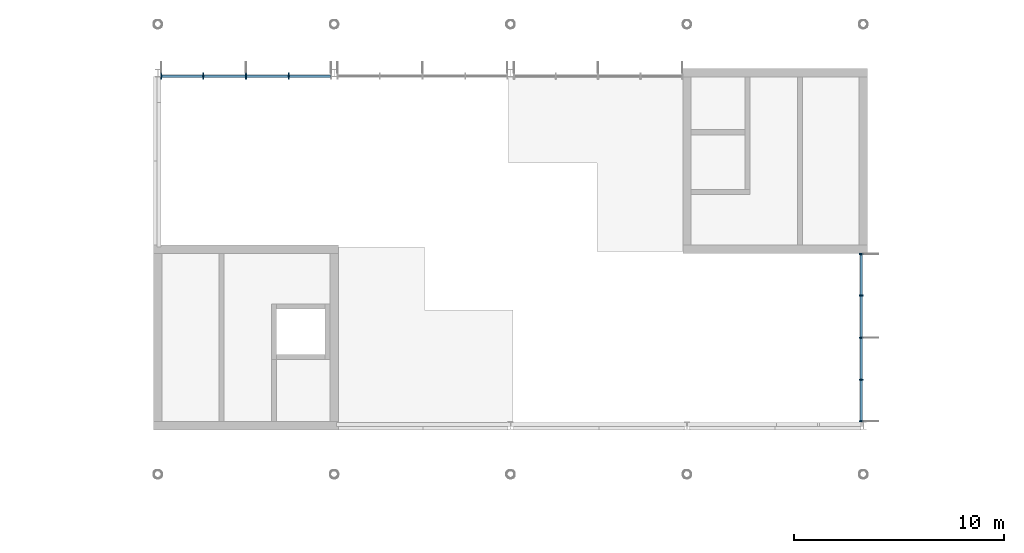
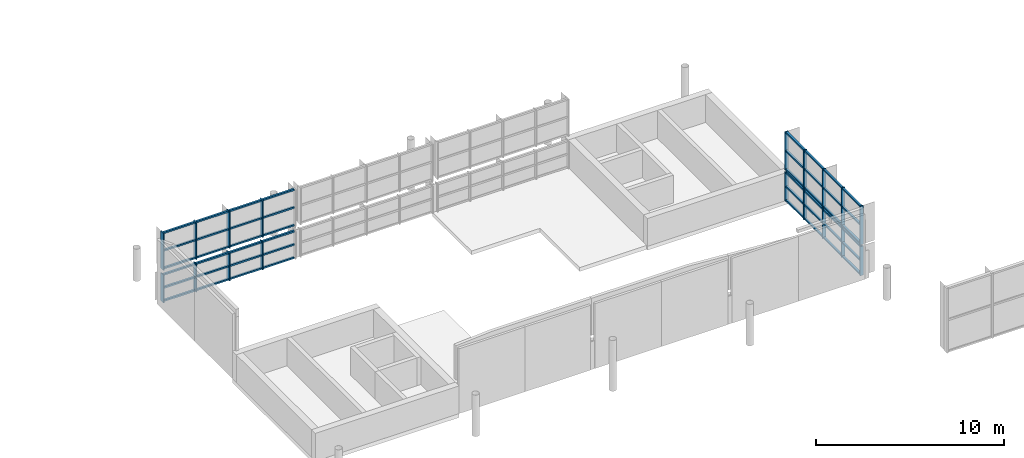
# One storey, part 25 of 72: 66 members, 4 elements without a shape of their own.
"""IFC4 building model written with IfcOpenShell, lengths in metres."""

from ifc_helpers import new_model, si_unit, direction, frame, origin, origin_2d, place, context, subcontext, project, spatial, rectangle, extrude, material, material_profile, profile_set, type_object, element, aggregate, save


model = new_model("IFC4")

# Units and contexts
model_context = context("Model", 3, precision=1e-05, world=origin(), true_north=direction((0.0, 1.0)))
body_context = subcontext(model_context, "Body", "Model", "MODEL_VIEW")
ifc_project = project(units=[si_unit("LENGTHUNIT", "METRE"), si_unit("AREAUNIT", "SQUARE_METRE"), si_unit("VOLUMEUNIT", "CUBIC_METRE"), si_unit("PLANEANGLEUNIT", "RADIAN"), si_unit("MASSUNIT", "GRAM", prefix="KILO")], contexts=[model_context])

# Site, building, storey
site_placement = place(None, origin())
site = spatial("IfcSite", under=ifc_project, at=site_placement, CompositionType="ELEMENT")
building_placement = place(site_placement, origin())
building = spatial("IfcBuilding", under=site, at=building_placement, Name="Hlaing Beacon Police Headquarters", CompositionType="ELEMENT")
storey_placement = place(building_placement, frame((0.0, 0.0, 14.39990234375)))
storey = spatial("IfcBuildingStorey", under=building, at=storey_placement, Name="L03", CompositionType="ELEMENT", Elevation=14.39990234375)

# Curtain wall, members
ifc_material_1 = material(Name="Aluminium frame with solar control glazing", Category="aluminium")
curtain_wall_type_1 = type_object("IfcCurtainWallType", Name="Unitised curtain wall 8.02 x 1.90", PredefinedType="NOTDEFINED", material=ifc_material_1)
curtain_wall_1_placement = place(storey_placement, origin())
curtain_wall_1 = element("IfcCurtainWall", 1, at=curtain_wall_1_placement, inside=storey, type_object=curtain_wall_type_1, Name="ENV-CW-L03-E011", PredefinedType="NOTDEFINED")
ifc_material_2 = material(Name="Aluminium", Category="aluminium")
ifc_material_profile_1 = material_profile(ifc_material_2, rectangle(XDim=0.199951171875, YDim=0.06005859375, at=origin_2d()), Name="Mullion 60x200")
ifc_profile_set_1 = profile_set([ifc_material_profile_1], Name="Aluminium")
member_type_1 = type_object("IfcMemberType", Name="Mullion 60x200", PredefinedType="MULLION", material=ifc_profile_set_1)
member_1_placement = place(storey_placement, frame((67.10009765625, 75.807861328125, 0.0), z_axis=(0.0, 0.0, 1.0), x_axis=(-1.0, 0.0, 0.0)))
member_1 = element("IfcMember", 2, at=member_1_placement, type_object=member_type_1, Name="CW-L03-E011 mullion 1", PredefinedType="MULLION", context=body_context, shape_type="SweptSolid", body=[
    extrude(rectangle(XDim=0.199951171875, YDim=0.06005859375, at=origin_2d()), origin(), (0.0, 0.0, 1.0), 1.897216796875),
])
member_2_placement = place(storey_placement, frame((67.10009765625, 77.783447265625, 0.0), z_axis=(0.0, 0.0, 1.0), x_axis=(-1.0, 0.0, 0.0)))
member_2 = element("IfcMember", 3, at=member_2_placement, type_object=member_type_1, Name="CW-L03-E011 mullion 2", PredefinedType="MULLION", context=body_context, shape_type="SweptSolid", body=[
    extrude(rectangle(XDim=0.199951171875, YDim=0.06005859375, at=origin_2d()), origin(), (0.0, 0.0, 1.0), 1.897216796875),
])
member_3_placement = place(storey_placement, frame((67.10009765625, 79.788818359375, 0.0), z_axis=(0.0, 0.0, 1.0), x_axis=(-1.0, 0.0, 0.0)))
member_3 = element("IfcMember", 4, at=member_3_placement, type_object=member_type_1, Name="CW-L03-E011 mullion 3", PredefinedType="MULLION", context=body_context, shape_type="SweptSolid", body=[
    extrude(rectangle(XDim=0.199951171875, YDim=0.06005859375, at=origin_2d()), origin(), (0.0, 0.0, 1.0), 1.897216796875),
])
member_4_placement = place(storey_placement, frame((67.10009765625, 81.79443359375, 0.0), z_axis=(0.0, 0.0, 1.0), x_axis=(-1.0, 0.0, 0.0)))
member_4 = element("IfcMember", 5, at=member_4_placement, type_object=member_type_1, Name="CW-L03-E011 mullion 4", PredefinedType="MULLION", context=body_context, shape_type="SweptSolid", body=[
    extrude(rectangle(XDim=0.199951171875, YDim=0.06005859375, at=origin_2d()), origin(), (0.0, 0.0, 1.0), 1.897216796875),
])
member_5_placement = place(storey_placement, frame((67.10009765625, 83.77001953125, 0.0), z_axis=(0.0, 0.0, 1.0), x_axis=(-1.0, 0.0, 0.0)))
member_5 = element("IfcMember", 6, at=member_5_placement, type_object=member_type_1, Name="CW-L03-E011 mullion 5", PredefinedType="MULLION", context=body_context, shape_type="SweptSolid", body=[
    extrude(rectangle(XDim=0.199951171875, YDim=0.06005859375, at=origin_2d()), origin(), (0.0, 0.0, 1.0), 1.897216796875),
])

ifc_material_3 = material(Name="Aluminium frame with solar control glazing", Category="aluminium")
curtain_wall_type_2 = type_object("IfcCurtainWallType", Name="Unitised curtain wall 8.02 x 2.49", PredefinedType="NOTDEFINED", material=ifc_material_3)
curtain_wall_2_placement = place(storey_placement, origin())
curtain_wall_2 = element("IfcCurtainWall", 7, at=curtain_wall_2_placement, inside=storey, type_object=curtain_wall_type_2, Name="ENV-CW-L03-E012", PredefinedType="NOTDEFINED")
member_6_placement = place(storey_placement, frame((67.10009765625, 75.807861328125, 2.0078125), z_axis=(0.0, 0.0, 1.0), x_axis=(-1.0, 0.0, 0.0)))
member_6 = element("IfcMember", 8, at=member_6_placement, type_object=member_type_1, Name="CW-L03-E012 mullion 1", PredefinedType="MULLION", context=body_context, shape_type="SweptSolid", body=[
    extrude(rectangle(XDim=0.199951171875, YDim=0.06005859375, at=origin_2d()), origin(), (0.0, 0.0, 1.0), 2.4921875),
])
member_7_placement = place(storey_placement, frame((67.10009765625, 77.783447265625, 2.0078125), z_axis=(0.0, 0.0, 1.0), x_axis=(-1.0, 0.0, 0.0)))
member_7 = element("IfcMember", 9, at=member_7_placement, type_object=member_type_1, Name="CW-L03-E012 mullion 2", PredefinedType="MULLION", context=body_context, shape_type="SweptSolid", body=[
    extrude(rectangle(XDim=0.199951171875, YDim=0.06005859375, at=origin_2d()), origin(), (0.0, 0.0, 1.0), 2.4921875),
])
member_8_placement = place(storey_placement, frame((67.10009765625, 79.788818359375, 2.0078125), z_axis=(0.0, 0.0, 1.0), x_axis=(-1.0, 0.0, 0.0)))
member_8 = element("IfcMember", 10, at=member_8_placement, type_object=member_type_1, Name="CW-L03-E012 mullion 3", PredefinedType="MULLION", context=body_context, shape_type="SweptSolid", body=[
    extrude(rectangle(XDim=0.199951171875, YDim=0.06005859375, at=origin_2d()), origin(), (0.0, 0.0, 1.0), 2.4921875),
])
member_9_placement = place(storey_placement, frame((67.10009765625, 81.79443359375, 2.0078125), z_axis=(0.0, 0.0, 1.0), x_axis=(-1.0, 0.0, 0.0)))
member_9 = element("IfcMember", 11, at=member_9_placement, type_object=member_type_1, Name="CW-L03-E012 mullion 4", PredefinedType="MULLION", context=body_context, shape_type="SweptSolid", body=[
    extrude(rectangle(XDim=0.199951171875, YDim=0.06005859375, at=origin_2d()), origin(), (0.0, 0.0, 1.0), 2.4921875),
])
member_10_placement = place(storey_placement, frame((67.10009765625, 83.77001953125, 2.0078125), z_axis=(0.0, 0.0, 1.0), x_axis=(-1.0, 0.0, 0.0)))
member_10 = element("IfcMember", 12, at=member_10_placement, type_object=member_type_1, Name="CW-L03-E012 mullion 5", PredefinedType="MULLION", context=body_context, shape_type="SweptSolid", body=[
    extrude(rectangle(XDim=0.199951171875, YDim=0.06005859375, at=origin_2d()), origin(), (0.0, 0.0, 1.0), 2.4921875),
])

ifc_material_4 = material(Name="Aluminium frame with solar control glazing", Category="aluminium")
curtain_wall_type_3 = type_object("IfcCurtainWallType", Name="Unitised curtain wall 8.14 x 1.80 (300 frame)", PredefinedType="NOTDEFINED", material=ifc_material_4)
curtain_wall_3_placement = place(storey_placement, origin())
curtain_wall_3 = element("IfcCurtainWall", 13, at=curtain_wall_3_placement, inside=storey, type_object=curtain_wall_type_3, Name="ENV-CW-L03-N009", PredefinedType="NOTDEFINED")
ifc_material_5 = material(Name="Aluminium", Category="aluminium")
ifc_material_profile_2 = material_profile(ifc_material_5, rectangle(XDim=0.300048828125, YDim=0.06005859375, at=origin_2d()), Name="Mullion 60x300")
ifc_profile_set_2 = profile_set([ifc_material_profile_2], Name="Aluminium")
member_type_2 = type_object("IfcMemberType", Name="Mullion 60x300", PredefinedType="MULLION", material=ifc_profile_set_2)
member_11_placement = place(storey_placement, frame((39.83544921875, 92.25, 0.0), z_axis=(0.0, 0.0, 1.0), x_axis=(0.0, -1.0, 0.0)))
member_11 = element("IfcMember", 14, at=member_11_placement, type_object=member_type_2, Name="CW-L03-N009 mullion 2", PredefinedType="MULLION", context=body_context, shape_type="SweptSolid", body=[
    extrude(rectangle(XDim=0.300048828125, YDim=0.06005859375, at=origin_2d()), origin(), (0.0, 0.0, 1.0), 1.800048828125),
])
member_12_placement = place(storey_placement, frame((37.79931640625, 92.25, 0.0), z_axis=(0.0, 0.0, 1.0), x_axis=(0.0, -1.0, 0.0)))
member_12 = element("IfcMember", 15, at=member_12_placement, type_object=member_type_2, Name="CW-L03-N009 mullion 3", PredefinedType="MULLION", context=body_context, shape_type="SweptSolid", body=[
    extrude(rectangle(XDim=0.300048828125, YDim=0.06005859375, at=origin_2d()), origin(), (0.0, 0.0, 1.0), 1.800048828125),
])
member_13_placement = place(storey_placement, frame((35.76318359375, 92.25, 0.0), z_axis=(0.0, 0.0, 1.0), x_axis=(0.0, -1.0, 0.0)))
member_13 = element("IfcMember", 16, at=member_13_placement, type_object=member_type_2, Name="CW-L03-N009 mullion 4", PredefinedType="MULLION", context=body_context, shape_type="SweptSolid", body=[
    extrude(rectangle(XDim=0.300048828125, YDim=0.06005859375, at=origin_2d()), origin(), (0.0, 0.0, 1.0), 1.800048828125),
])
member_14_placement = place(storey_placement, frame((33.757080078125, 92.25, 0.0), z_axis=(0.0, 0.0, 1.0), x_axis=(0.0, -1.0, 0.0)))
member_14 = element("IfcMember", 17, at=member_14_placement, type_object=member_type_2, Name="CW-L03-N009 mullion 5", PredefinedType="MULLION", context=body_context, shape_type="SweptSolid", body=[
    extrude(rectangle(XDim=0.300048828125, YDim=0.06005859375, at=origin_2d()), origin(), (0.0, 0.0, 1.0), 1.800048828125),
])

ifc_material_6 = material(Name="Aluminium frame with solar control glazing", Category="aluminium")
curtain_wall_type_4 = type_object("IfcCurtainWallType", Name="Unitised curtain wall 8.14 x 2.40 (300 frame)", PredefinedType="NOTDEFINED", material=ifc_material_6)
curtain_wall_4_placement = place(storey_placement, origin())
curtain_wall_4 = element("IfcCurtainWall", 18, at=curtain_wall_4_placement, inside=storey, type_object=curtain_wall_type_4, Name="ENV-CW-L03-N010", PredefinedType="NOTDEFINED")
member_15_placement = place(storey_placement, frame((39.83544921875, 92.25, 2.10498046875), z_axis=(0.0, 0.0, 1.0), x_axis=(0.0, -1.0, 0.0)))
member_15 = element("IfcMember", 19, at=member_15_placement, type_object=member_type_2, Name="CW-L03-N010 mullion 2", PredefinedType="MULLION", context=body_context, shape_type="SweptSolid", body=[
    extrude(rectangle(XDim=0.300048828125, YDim=0.06005859375, at=origin_2d()), origin(), (0.0, 0.0, 1.0), 2.39501953125),
])
member_16_placement = place(storey_placement, frame((37.79931640625, 92.25, 2.10498046875), z_axis=(0.0, 0.0, 1.0), x_axis=(0.0, -1.0, 0.0)))
member_16 = element("IfcMember", 20, at=member_16_placement, type_object=member_type_2, Name="CW-L03-N010 mullion 3", PredefinedType="MULLION", context=body_context, shape_type="SweptSolid", body=[
    extrude(rectangle(XDim=0.300048828125, YDim=0.06005859375, at=origin_2d()), origin(), (0.0, 0.0, 1.0), 2.39501953125),
])
member_17_placement = place(storey_placement, frame((35.76318359375, 92.25, 2.10498046875), z_axis=(0.0, 0.0, 1.0), x_axis=(0.0, -1.0, 0.0)))
member_17 = element("IfcMember", 21, at=member_17_placement, type_object=member_type_2, Name="CW-L03-N010 mullion 4", PredefinedType="MULLION", context=body_context, shape_type="SweptSolid", body=[
    extrude(rectangle(XDim=0.300048828125, YDim=0.06005859375, at=origin_2d()), origin(), (0.0, 0.0, 1.0), 2.39501953125),
])
member_18_placement = place(storey_placement, frame((33.757080078125, 92.25, 2.10498046875), z_axis=(0.0, 0.0, 1.0), x_axis=(0.0, -1.0, 0.0)))
member_18 = element("IfcMember", 22, at=member_18_placement, type_object=member_type_2, Name="CW-L03-N010 mullion 5", PredefinedType="MULLION", context=body_context, shape_type="SweptSolid", body=[
    extrude(rectangle(XDim=0.300048828125, YDim=0.06005859375, at=origin_2d()), origin(), (0.0, 0.0, 1.0), 2.39501953125),
])

# Member
ifc_material_7 = material(Name="Aluminium", Category="aluminium")
ifc_material_profile_3 = material_profile(ifc_material_7, rectangle(XDim=0.1201171875, YDim=0.10009765625, at=origin_2d()), Name="Transom 120x100")
ifc_profile_set_3 = profile_set([ifc_material_profile_3], Name="Aluminium")
member_type_3 = type_object("IfcMemberType", Name="Transom 120x100", PredefinedType="USERDEFINED", material=ifc_profile_set_3)
member_19_placement = place(storey_placement, frame((41.811767578125, 92.25, 0.050048828125), z_axis=(-1.0, 0.0, 0.0), x_axis=(0.0, -1.0, 0.0)))
member_19 = element("IfcMember", 23, at=member_19_placement, type_object=member_type_3, Name="CW-L03-N009 transom 1.1", ObjectType="TRANSOM", PredefinedType="USERDEFINED", context=body_context, shape_type="SweptSolid", body=[
    extrude(rectangle(XDim=0.1201171875, YDim=0.10009765625, at=origin_2d()), origin(), (0.0, 0.0, 1.0), 1.9462890625),
])

member_20_placement = place(storey_placement, frame((41.811767578125, 92.25, 0.900146484375), z_axis=(-1.0, 0.0, 0.0), x_axis=(0.0, -1.0, 0.0)))
member_20 = element("IfcMember", 24, at=member_20_placement, type_object=member_type_3, Name="CW-L03-N009 transom 1.2", ObjectType="TRANSOM", PredefinedType="USERDEFINED", context=body_context, shape_type="SweptSolid", body=[
    extrude(rectangle(XDim=0.1201171875, YDim=0.10009765625, at=origin_2d()), origin(), (0.0, 0.0, 1.0), 1.9462890625),
])

member_21_placement = place(storey_placement, frame((41.811767578125, 92.25, 1.75), z_axis=(-1.0, 0.0, 0.0), x_axis=(0.0, -1.0, 0.0)))
member_21 = element("IfcMember", 25, at=member_21_placement, type_object=member_type_3, Name="CW-L03-N009 transom 1.3", ObjectType="TRANSOM", PredefinedType="USERDEFINED", context=body_context, shape_type="SweptSolid", body=[
    extrude(rectangle(XDim=0.1201171875, YDim=0.10009765625, at=origin_2d()), origin(), (0.0, 0.0, 1.0), 1.9462890625),
])

member_22_placement = place(storey_placement, frame((39.805419921875, 92.25, 0.050048828125), z_axis=(-1.0, 0.0, 0.0), x_axis=(0.0, -1.0, 0.0)))
member_22 = element("IfcMember", 26, at=member_22_placement, type_object=member_type_3, Name="CW-L03-N009 transom 2.1", ObjectType="TRANSOM", PredefinedType="USERDEFINED", context=body_context, shape_type="SweptSolid", body=[
    extrude(rectangle(XDim=0.1201171875, YDim=0.10009765625, at=origin_2d()), origin(), (0.0, 0.0, 1.0), 1.97607421875),
])

member_23_placement = place(storey_placement, frame((39.805419921875, 92.25, 0.900146484375), z_axis=(-1.0, 0.0, 0.0), x_axis=(0.0, -1.0, 0.0)))
member_23 = element("IfcMember", 27, at=member_23_placement, type_object=member_type_3, Name="CW-L03-N009 transom 2.2", ObjectType="TRANSOM", PredefinedType="USERDEFINED", context=body_context, shape_type="SweptSolid", body=[
    extrude(rectangle(XDim=0.1201171875, YDim=0.10009765625, at=origin_2d()), origin(), (0.0, 0.0, 1.0), 1.97607421875),
])

member_24_placement = place(storey_placement, frame((39.805419921875, 92.25, 1.75), z_axis=(-1.0, 0.0, 0.0), x_axis=(0.0, -1.0, 0.0)))
member_24 = element("IfcMember", 28, at=member_24_placement, type_object=member_type_3, Name="CW-L03-N009 transom 2.3", ObjectType="TRANSOM", PredefinedType="USERDEFINED", context=body_context, shape_type="SweptSolid", body=[
    extrude(rectangle(XDim=0.1201171875, YDim=0.10009765625, at=origin_2d()), origin(), (0.0, 0.0, 1.0), 1.97607421875),
])

member_25_placement = place(storey_placement, frame((37.769287109375, 92.25, 0.050048828125), z_axis=(-1.0, 0.0, 0.0), x_axis=(0.0, -1.0, 0.0)))
member_25 = element("IfcMember", 29, at=member_25_placement, type_object=member_type_3, Name="CW-L03-N009 transom 3.1", ObjectType="TRANSOM", PredefinedType="USERDEFINED", context=body_context, shape_type="SweptSolid", body=[
    extrude(rectangle(XDim=0.1201171875, YDim=0.10009765625, at=origin_2d()), origin(), (0.0, 0.0, 1.0), 1.97607421875),
])

member_26_placement = place(storey_placement, frame((37.769287109375, 92.25, 0.900146484375), z_axis=(-1.0, 0.0, 0.0), x_axis=(0.0, -1.0, 0.0)))
member_26 = element("IfcMember", 30, at=member_26_placement, type_object=member_type_3, Name="CW-L03-N009 transom 3.2", ObjectType="TRANSOM", PredefinedType="USERDEFINED", context=body_context, shape_type="SweptSolid", body=[
    extrude(rectangle(XDim=0.1201171875, YDim=0.10009765625, at=origin_2d()), origin(), (0.0, 0.0, 1.0), 1.97607421875),
])

member_27_placement = place(storey_placement, frame((37.769287109375, 92.25, 1.75), z_axis=(-1.0, 0.0, 0.0), x_axis=(0.0, -1.0, 0.0)))
member_27 = element("IfcMember", 31, at=member_27_placement, type_object=member_type_3, Name="CW-L03-N009 transom 3.3", ObjectType="TRANSOM", PredefinedType="USERDEFINED", context=body_context, shape_type="SweptSolid", body=[
    extrude(rectangle(XDim=0.1201171875, YDim=0.10009765625, at=origin_2d()), origin(), (0.0, 0.0, 1.0), 1.97607421875),
])

member_28_placement = place(storey_placement, frame((35.733154296875, 92.25, 0.050048828125), z_axis=(-1.0, 0.0, 0.0), x_axis=(0.0, -1.0, 0.0)))
member_28 = element("IfcMember", 32, at=member_28_placement, type_object=member_type_3, Name="CW-L03-N009 transom 4.1", ObjectType="TRANSOM", PredefinedType="USERDEFINED", context=body_context, shape_type="SweptSolid", body=[
    extrude(rectangle(XDim=0.1201171875, YDim=0.10009765625, at=origin_2d()), origin(), (0.0, 0.0, 1.0), 1.946044921875),
])

member_29_placement = place(storey_placement, frame((35.733154296875, 92.25, 0.900146484375), z_axis=(-1.0, 0.0, 0.0), x_axis=(0.0, -1.0, 0.0)))
member_29 = element("IfcMember", 33, at=member_29_placement, type_object=member_type_3, Name="CW-L03-N009 transom 4.2", ObjectType="TRANSOM", PredefinedType="USERDEFINED", context=body_context, shape_type="SweptSolid", body=[
    extrude(rectangle(XDim=0.1201171875, YDim=0.10009765625, at=origin_2d()), origin(), (0.0, 0.0, 1.0), 1.946044921875),
])

member_30_placement = place(storey_placement, frame((35.733154296875, 92.25, 1.75), z_axis=(-1.0, 0.0, 0.0), x_axis=(0.0, -1.0, 0.0)))
member_30 = element("IfcMember", 34, at=member_30_placement, type_object=member_type_3, Name="CW-L03-N009 transom 4.3", ObjectType="TRANSOM", PredefinedType="USERDEFINED", context=body_context, shape_type="SweptSolid", body=[
    extrude(rectangle(XDim=0.1201171875, YDim=0.10009765625, at=origin_2d()), origin(), (0.0, 0.0, 1.0), 1.946044921875),
])

aggregate(curtain_wall_3, [member_11, member_12, member_13, member_14, member_19, member_20, member_21, member_22, member_23, member_24, member_25, member_26, member_27, member_28, member_29, member_30])

member_31_placement = place(storey_placement, frame((41.811767578125, 92.25, 2.15478515625), z_axis=(-1.0, 0.0, 0.0), x_axis=(0.0, -1.0, 0.0)))
member_31 = element("IfcMember", 35, at=member_31_placement, type_object=member_type_3, Name="CW-L03-N010 transom 1.1", ObjectType="TRANSOM", PredefinedType="USERDEFINED", context=body_context, shape_type="SweptSolid", body=[
    extrude(rectangle(XDim=0.1201171875, YDim=0.10009765625, at=origin_2d()), origin(), (0.0, 0.0, 1.0), 1.9462890625),
])

member_32_placement = place(storey_placement, frame((41.811767578125, 92.25, 3.302978515625), z_axis=(-1.0, 0.0, 0.0), x_axis=(0.0, -1.0, 0.0)))
member_32 = element("IfcMember", 36, at=member_32_placement, type_object=member_type_3, Name="CW-L03-N010 transom 1.2", ObjectType="TRANSOM", PredefinedType="USERDEFINED", context=body_context, shape_type="SweptSolid", body=[
    extrude(rectangle(XDim=0.1201171875, YDim=0.10009765625, at=origin_2d()), origin(), (0.0, 0.0, 1.0), 1.9462890625),
])

member_33_placement = place(storey_placement, frame((41.811767578125, 92.25, 4.4501953125), z_axis=(-1.0, 0.0, 0.0), x_axis=(0.0, -1.0, 0.0)))
member_33 = element("IfcMember", 37, at=member_33_placement, type_object=member_type_3, Name="CW-L03-N010 transom 1.3", ObjectType="TRANSOM", PredefinedType="USERDEFINED", context=body_context, shape_type="SweptSolid", body=[
    extrude(rectangle(XDim=0.1201171875, YDim=0.10009765625, at=origin_2d()), origin(), (0.0, 0.0, 1.0), 1.9462890625),
])

member_34_placement = place(storey_placement, frame((39.805419921875, 92.25, 2.15478515625), z_axis=(-1.0, 0.0, 0.0), x_axis=(0.0, -1.0, 0.0)))
member_34 = element("IfcMember", 38, at=member_34_placement, type_object=member_type_3, Name="CW-L03-N010 transom 2.1", ObjectType="TRANSOM", PredefinedType="USERDEFINED", context=body_context, shape_type="SweptSolid", body=[
    extrude(rectangle(XDim=0.1201171875, YDim=0.10009765625, at=origin_2d()), origin(), (0.0, 0.0, 1.0), 1.97607421875),
])

member_35_placement = place(storey_placement, frame((39.805419921875, 92.25, 3.302978515625), z_axis=(-1.0, 0.0, 0.0), x_axis=(0.0, -1.0, 0.0)))
member_35 = element("IfcMember", 39, at=member_35_placement, type_object=member_type_3, Name="CW-L03-N010 transom 2.2", ObjectType="TRANSOM", PredefinedType="USERDEFINED", context=body_context, shape_type="SweptSolid", body=[
    extrude(rectangle(XDim=0.1201171875, YDim=0.10009765625, at=origin_2d()), origin(), (0.0, 0.0, 1.0), 1.97607421875),
])

member_36_placement = place(storey_placement, frame((39.805419921875, 92.25, 4.4501953125), z_axis=(-1.0, 0.0, 0.0), x_axis=(0.0, -1.0, 0.0)))
member_36 = element("IfcMember", 40, at=member_36_placement, type_object=member_type_3, Name="CW-L03-N010 transom 2.3", ObjectType="TRANSOM", PredefinedType="USERDEFINED", context=body_context, shape_type="SweptSolid", body=[
    extrude(rectangle(XDim=0.1201171875, YDim=0.10009765625, at=origin_2d()), origin(), (0.0, 0.0, 1.0), 1.97607421875),
])

member_37_placement = place(storey_placement, frame((37.769287109375, 92.25, 2.15478515625), z_axis=(-1.0, 0.0, 0.0), x_axis=(0.0, -1.0, 0.0)))
member_37 = element("IfcMember", 41, at=member_37_placement, type_object=member_type_3, Name="CW-L03-N010 transom 3.1", ObjectType="TRANSOM", PredefinedType="USERDEFINED", context=body_context, shape_type="SweptSolid", body=[
    extrude(rectangle(XDim=0.1201171875, YDim=0.10009765625, at=origin_2d()), origin(), (0.0, 0.0, 1.0), 1.97607421875),
])

member_38_placement = place(storey_placement, frame((37.769287109375, 92.25, 3.302978515625), z_axis=(-1.0, 0.0, 0.0), x_axis=(0.0, -1.0, 0.0)))
member_38 = element("IfcMember", 42, at=member_38_placement, type_object=member_type_3, Name="CW-L03-N010 transom 3.2", ObjectType="TRANSOM", PredefinedType="USERDEFINED", context=body_context, shape_type="SweptSolid", body=[
    extrude(rectangle(XDim=0.1201171875, YDim=0.10009765625, at=origin_2d()), origin(), (0.0, 0.0, 1.0), 1.97607421875),
])

member_39_placement = place(storey_placement, frame((37.769287109375, 92.25, 4.4501953125), z_axis=(-1.0, 0.0, 0.0), x_axis=(0.0, -1.0, 0.0)))
member_39 = element("IfcMember", 43, at=member_39_placement, type_object=member_type_3, Name="CW-L03-N010 transom 3.3", ObjectType="TRANSOM", PredefinedType="USERDEFINED", context=body_context, shape_type="SweptSolid", body=[
    extrude(rectangle(XDim=0.1201171875, YDim=0.10009765625, at=origin_2d()), origin(), (0.0, 0.0, 1.0), 1.97607421875),
])

member_40_placement = place(storey_placement, frame((35.733154296875, 92.25, 2.15478515625), z_axis=(-1.0, 0.0, 0.0), x_axis=(0.0, -1.0, 0.0)))
member_40 = element("IfcMember", 44, at=member_40_placement, type_object=member_type_3, Name="CW-L03-N010 transom 4.1", ObjectType="TRANSOM", PredefinedType="USERDEFINED", context=body_context, shape_type="SweptSolid", body=[
    extrude(rectangle(XDim=0.1201171875, YDim=0.10009765625, at=origin_2d()), origin(), (0.0, 0.0, 1.0), 1.946044921875),
])

member_41_placement = place(storey_placement, frame((35.733154296875, 92.25, 3.302978515625), z_axis=(-1.0, 0.0, 0.0), x_axis=(0.0, -1.0, 0.0)))
member_41 = element("IfcMember", 45, at=member_41_placement, type_object=member_type_3, Name="CW-L03-N010 transom 4.2", ObjectType="TRANSOM", PredefinedType="USERDEFINED", context=body_context, shape_type="SweptSolid", body=[
    extrude(rectangle(XDim=0.1201171875, YDim=0.10009765625, at=origin_2d()), origin(), (0.0, 0.0, 1.0), 1.946044921875),
])

member_42_placement = place(storey_placement, frame((35.733154296875, 92.25, 4.4501953125), z_axis=(-1.0, 0.0, 0.0), x_axis=(0.0, -1.0, 0.0)))
member_42 = element("IfcMember", 46, at=member_42_placement, type_object=member_type_3, Name="CW-L03-N010 transom 4.3", ObjectType="TRANSOM", PredefinedType="USERDEFINED", context=body_context, shape_type="SweptSolid", body=[
    extrude(rectangle(XDim=0.1201171875, YDim=0.10009765625, at=origin_2d()), origin(), (0.0, 0.0, 1.0), 1.946044921875),
])

aggregate(curtain_wall_4, [member_15, member_16, member_17, member_18, member_31, member_32, member_33, member_34, member_35, member_36, member_37, member_38, member_39, member_40, member_41, member_42])

member_43_placement = place(storey_placement, frame((67.10009765625, 75.837890625, 0.050048828125), z_axis=(0.0, 1.0, 0.0), x_axis=(-1.0, 0.0, 0.0)))
member_43 = element("IfcMember", 47, at=member_43_placement, type_object=member_type_3, Name="CW-L03-E011 transom 1.1", ObjectType="TRANSOM", PredefinedType="USERDEFINED", context=body_context, shape_type="SweptSolid", body=[
    extrude(rectangle(XDim=0.1201171875, YDim=0.10009765625, at=origin_2d()), origin(), (0.0, 0.0, 1.0), 1.91552734375),
])

member_44_placement = place(storey_placement, frame((67.10009765625, 75.837890625, 0.94921875), z_axis=(0.0, 1.0, 0.0), x_axis=(-1.0, 0.0, 0.0)))
member_44 = element("IfcMember", 48, at=member_44_placement, type_object=member_type_3, Name="CW-L03-E011 transom 1.2", ObjectType="TRANSOM", PredefinedType="USERDEFINED", context=body_context, shape_type="SweptSolid", body=[
    extrude(rectangle(XDim=0.1201171875, YDim=0.10009765625, at=origin_2d()), origin(), (0.0, 0.0, 1.0), 1.91552734375),
])

member_45_placement = place(storey_placement, frame((67.10009765625, 75.837890625, 1.84716796875), z_axis=(0.0, 1.0, 0.0), x_axis=(-1.0, 0.0, 0.0)))
member_45 = element("IfcMember", 49, at=member_45_placement, type_object=member_type_3, Name="CW-L03-E011 transom 1.3", ObjectType="TRANSOM", PredefinedType="USERDEFINED", context=body_context, shape_type="SweptSolid", body=[
    extrude(rectangle(XDim=0.1201171875, YDim=0.10009765625, at=origin_2d()), origin(), (0.0, 0.0, 1.0), 1.91552734375),
])

member_46_placement = place(storey_placement, frame((67.10009765625, 77.813232421875, 0.050048828125), z_axis=(0.0, 1.0, 0.0), x_axis=(-1.0, 0.0, 0.0)))
member_46 = element("IfcMember", 50, at=member_46_placement, type_object=member_type_3, Name="CW-L03-E011 transom 2.1", ObjectType="TRANSOM", PredefinedType="USERDEFINED", context=body_context, shape_type="SweptSolid", body=[
    extrude(rectangle(XDim=0.1201171875, YDim=0.10009765625, at=origin_2d()), origin(), (0.0, 0.0, 1.0), 1.945556640625),
])

member_47_placement = place(storey_placement, frame((67.10009765625, 77.813232421875, 0.94921875), z_axis=(0.0, 1.0, 0.0), x_axis=(-1.0, 0.0, 0.0)))
member_47 = element("IfcMember", 51, at=member_47_placement, type_object=member_type_3, Name="CW-L03-E011 transom 2.2", ObjectType="TRANSOM", PredefinedType="USERDEFINED", context=body_context, shape_type="SweptSolid", body=[
    extrude(rectangle(XDim=0.1201171875, YDim=0.10009765625, at=origin_2d()), origin(), (0.0, 0.0, 1.0), 1.945556640625),
])

member_48_placement = place(storey_placement, frame((67.10009765625, 77.813232421875, 1.84716796875), z_axis=(0.0, 1.0, 0.0), x_axis=(-1.0, 0.0, 0.0)))
member_48 = element("IfcMember", 52, at=member_48_placement, type_object=member_type_3, Name="CW-L03-E011 transom 2.3", ObjectType="TRANSOM", PredefinedType="USERDEFINED", context=body_context, shape_type="SweptSolid", body=[
    extrude(rectangle(XDim=0.1201171875, YDim=0.10009765625, at=origin_2d()), origin(), (0.0, 0.0, 1.0), 1.945556640625),
])

member_49_placement = place(storey_placement, frame((67.10009765625, 79.81884765625, 0.050048828125), z_axis=(0.0, 1.0, 0.0), x_axis=(-1.0, 0.0, 0.0)))
member_49 = element("IfcMember", 53, at=member_49_placement, type_object=member_type_3, Name="CW-L03-E011 transom 3.1", ObjectType="TRANSOM", PredefinedType="USERDEFINED", context=body_context, shape_type="SweptSolid", body=[
    extrude(rectangle(XDim=0.1201171875, YDim=0.10009765625, at=origin_2d()), origin(), (0.0, 0.0, 1.0), 1.945556640625),
])

member_50_placement = place(storey_placement, frame((67.10009765625, 79.81884765625, 0.94921875), z_axis=(0.0, 1.0, 0.0), x_axis=(-1.0, 0.0, 0.0)))
member_50 = element("IfcMember", 54, at=member_50_placement, type_object=member_type_3, Name="CW-L03-E011 transom 3.2", ObjectType="TRANSOM", PredefinedType="USERDEFINED", context=body_context, shape_type="SweptSolid", body=[
    extrude(rectangle(XDim=0.1201171875, YDim=0.10009765625, at=origin_2d()), origin(), (0.0, 0.0, 1.0), 1.945556640625),
])

member_51_placement = place(storey_placement, frame((67.10009765625, 79.81884765625, 1.84716796875), z_axis=(0.0, 1.0, 0.0), x_axis=(-1.0, 0.0, 0.0)))
member_51 = element("IfcMember", 55, at=member_51_placement, type_object=member_type_3, Name="CW-L03-E011 transom 3.3", ObjectType="TRANSOM", PredefinedType="USERDEFINED", context=body_context, shape_type="SweptSolid", body=[
    extrude(rectangle(XDim=0.1201171875, YDim=0.10009765625, at=origin_2d()), origin(), (0.0, 0.0, 1.0), 1.945556640625),
])

member_52_placement = place(storey_placement, frame((67.10009765625, 81.824462890625, 0.050048828125), z_axis=(0.0, 1.0, 0.0), x_axis=(-1.0, 0.0, 0.0)))
member_52 = element("IfcMember", 56, at=member_52_placement, type_object=member_type_3, Name="CW-L03-E011 transom 4.1", ObjectType="TRANSOM", PredefinedType="USERDEFINED", context=body_context, shape_type="SweptSolid", body=[
    extrude(rectangle(XDim=0.1201171875, YDim=0.10009765625, at=origin_2d()), origin(), (0.0, 0.0, 1.0), 1.91552734375),
])

member_53_placement = place(storey_placement, frame((67.10009765625, 81.824462890625, 0.94921875), z_axis=(0.0, 1.0, 0.0), x_axis=(-1.0, 0.0, 0.0)))
member_53 = element("IfcMember", 57, at=member_53_placement, type_object=member_type_3, Name="CW-L03-E011 transom 4.2", ObjectType="TRANSOM", PredefinedType="USERDEFINED", context=body_context, shape_type="SweptSolid", body=[
    extrude(rectangle(XDim=0.1201171875, YDim=0.10009765625, at=origin_2d()), origin(), (0.0, 0.0, 1.0), 1.91552734375),
])

member_54_placement = place(storey_placement, frame((67.10009765625, 81.824462890625, 1.84716796875), z_axis=(0.0, 1.0, 0.0), x_axis=(-1.0, 0.0, 0.0)))
member_54 = element("IfcMember", 58, at=member_54_placement, type_object=member_type_3, Name="CW-L03-E011 transom 4.3", ObjectType="TRANSOM", PredefinedType="USERDEFINED", context=body_context, shape_type="SweptSolid", body=[
    extrude(rectangle(XDim=0.1201171875, YDim=0.10009765625, at=origin_2d()), origin(), (0.0, 0.0, 1.0), 1.91552734375),
])

aggregate(curtain_wall_1, [member_1, member_2, member_3, member_4, member_5, member_43, member_44, member_45, member_46, member_47, member_48, member_49, member_50, member_51, member_52, member_53, member_54])

member_55_placement = place(storey_placement, frame((67.10009765625, 75.837890625, 2.057861328125), z_axis=(0.0, 1.0, 0.0), x_axis=(-1.0, 0.0, 0.0)))
member_55 = element("IfcMember", 59, at=member_55_placement, type_object=member_type_3, Name="CW-L03-E012 transom 1.1", ObjectType="TRANSOM", PredefinedType="USERDEFINED", context=body_context, shape_type="SweptSolid", body=[
    extrude(rectangle(XDim=0.1201171875, YDim=0.10009765625, at=origin_2d()), origin(), (0.0, 0.0, 1.0), 1.91552734375),
])

member_56_placement = place(storey_placement, frame((67.10009765625, 75.837890625, 3.25390625), z_axis=(0.0, 1.0, 0.0), x_axis=(-1.0, 0.0, 0.0)))
member_56 = element("IfcMember", 60, at=member_56_placement, type_object=member_type_3, Name="CW-L03-E012 transom 1.2", ObjectType="TRANSOM", PredefinedType="USERDEFINED", context=body_context, shape_type="SweptSolid", body=[
    extrude(rectangle(XDim=0.1201171875, YDim=0.10009765625, at=origin_2d()), origin(), (0.0, 0.0, 1.0), 1.91552734375),
])

member_57_placement = place(storey_placement, frame((67.10009765625, 75.837890625, 4.4501953125), z_axis=(0.0, 1.0, 0.0), x_axis=(-1.0, 0.0, 0.0)))
member_57 = element("IfcMember", 61, at=member_57_placement, type_object=member_type_3, Name="CW-L03-E012 transom 1.3", ObjectType="TRANSOM", PredefinedType="USERDEFINED", context=body_context, shape_type="SweptSolid", body=[
    extrude(rectangle(XDim=0.1201171875, YDim=0.10009765625, at=origin_2d()), origin(), (0.0, 0.0, 1.0), 1.91552734375),
])

member_58_placement = place(storey_placement, frame((67.10009765625, 77.813232421875, 2.057861328125), z_axis=(0.0, 1.0, 0.0), x_axis=(-1.0, 0.0, 0.0)))
member_58 = element("IfcMember", 62, at=member_58_placement, type_object=member_type_3, Name="CW-L03-E012 transom 2.1", ObjectType="TRANSOM", PredefinedType="USERDEFINED", context=body_context, shape_type="SweptSolid", body=[
    extrude(rectangle(XDim=0.1201171875, YDim=0.10009765625, at=origin_2d()), origin(), (0.0, 0.0, 1.0), 1.945556640625),
])

member_59_placement = place(storey_placement, frame((67.10009765625, 77.813232421875, 3.25390625), z_axis=(0.0, 1.0, 0.0), x_axis=(-1.0, 0.0, 0.0)))
member_59 = element("IfcMember", 63, at=member_59_placement, type_object=member_type_3, Name="CW-L03-E012 transom 2.2", ObjectType="TRANSOM", PredefinedType="USERDEFINED", context=body_context, shape_type="SweptSolid", body=[
    extrude(rectangle(XDim=0.1201171875, YDim=0.10009765625, at=origin_2d()), origin(), (0.0, 0.0, 1.0), 1.945556640625),
])

member_60_placement = place(storey_placement, frame((67.10009765625, 77.813232421875, 4.4501953125), z_axis=(0.0, 1.0, 0.0), x_axis=(-1.0, 0.0, 0.0)))
member_60 = element("IfcMember", 64, at=member_60_placement, type_object=member_type_3, Name="CW-L03-E012 transom 2.3", ObjectType="TRANSOM", PredefinedType="USERDEFINED", context=body_context, shape_type="SweptSolid", body=[
    extrude(rectangle(XDim=0.1201171875, YDim=0.10009765625, at=origin_2d()), origin(), (0.0, 0.0, 1.0), 1.945556640625),
])

member_61_placement = place(storey_placement, frame((67.10009765625, 79.81884765625, 2.057861328125), z_axis=(0.0, 1.0, 0.0), x_axis=(-1.0, 0.0, 0.0)))
member_61 = element("IfcMember", 65, at=member_61_placement, type_object=member_type_3, Name="CW-L03-E012 transom 3.1", ObjectType="TRANSOM", PredefinedType="USERDEFINED", context=body_context, shape_type="SweptSolid", body=[
    extrude(rectangle(XDim=0.1201171875, YDim=0.10009765625, at=origin_2d()), origin(), (0.0, 0.0, 1.0), 1.945556640625),
])

member_62_placement = place(storey_placement, frame((67.10009765625, 79.81884765625, 3.25390625), z_axis=(0.0, 1.0, 0.0), x_axis=(-1.0, 0.0, 0.0)))
member_62 = element("IfcMember", 66, at=member_62_placement, type_object=member_type_3, Name="CW-L03-E012 transom 3.2", ObjectType="TRANSOM", PredefinedType="USERDEFINED", context=body_context, shape_type="SweptSolid", body=[
    extrude(rectangle(XDim=0.1201171875, YDim=0.10009765625, at=origin_2d()), origin(), (0.0, 0.0, 1.0), 1.945556640625),
])

member_63_placement = place(storey_placement, frame((67.10009765625, 79.81884765625, 4.4501953125), z_axis=(0.0, 1.0, 0.0), x_axis=(-1.0, 0.0, 0.0)))
member_63 = element("IfcMember", 67, at=member_63_placement, type_object=member_type_3, Name="CW-L03-E012 transom 3.3", ObjectType="TRANSOM", PredefinedType="USERDEFINED", context=body_context, shape_type="SweptSolid", body=[
    extrude(rectangle(XDim=0.1201171875, YDim=0.10009765625, at=origin_2d()), origin(), (0.0, 0.0, 1.0), 1.945556640625),
])

member_64_placement = place(storey_placement, frame((67.10009765625, 81.824462890625, 2.057861328125), z_axis=(0.0, 1.0, 0.0), x_axis=(-1.0, 0.0, 0.0)))
member_64 = element("IfcMember", 68, at=member_64_placement, type_object=member_type_3, Name="CW-L03-E012 transom 4.1", ObjectType="TRANSOM", PredefinedType="USERDEFINED", context=body_context, shape_type="SweptSolid", body=[
    extrude(rectangle(XDim=0.1201171875, YDim=0.10009765625, at=origin_2d()), origin(), (0.0, 0.0, 1.0), 1.91552734375),
])

member_65_placement = place(storey_placement, frame((67.10009765625, 81.824462890625, 3.25390625), z_axis=(0.0, 1.0, 0.0), x_axis=(-1.0, 0.0, 0.0)))
member_65 = element("IfcMember", 69, at=member_65_placement, type_object=member_type_3, Name="CW-L03-E012 transom 4.2", ObjectType="TRANSOM", PredefinedType="USERDEFINED", context=body_context, shape_type="SweptSolid", body=[
    extrude(rectangle(XDim=0.1201171875, YDim=0.10009765625, at=origin_2d()), origin(), (0.0, 0.0, 1.0), 1.91552734375),
])

member_66_placement = place(storey_placement, frame((67.10009765625, 81.824462890625, 4.4501953125), z_axis=(0.0, 1.0, 0.0), x_axis=(-1.0, 0.0, 0.0)))
member_66 = element("IfcMember", 70, at=member_66_placement, type_object=member_type_3, Name="CW-L03-E012 transom 4.3", ObjectType="TRANSOM", PredefinedType="USERDEFINED", context=body_context, shape_type="SweptSolid", body=[
    extrude(rectangle(XDim=0.1201171875, YDim=0.10009765625, at=origin_2d()), origin(), (0.0, 0.0, 1.0), 1.91552734375),
])

aggregate(curtain_wall_2, [member_6, member_7, member_8, member_9, member_10, member_55, member_56, member_57, member_58, member_59, member_60, member_61, member_62, member_63, member_64, member_65, member_66])

save(model, "model.ifc")
